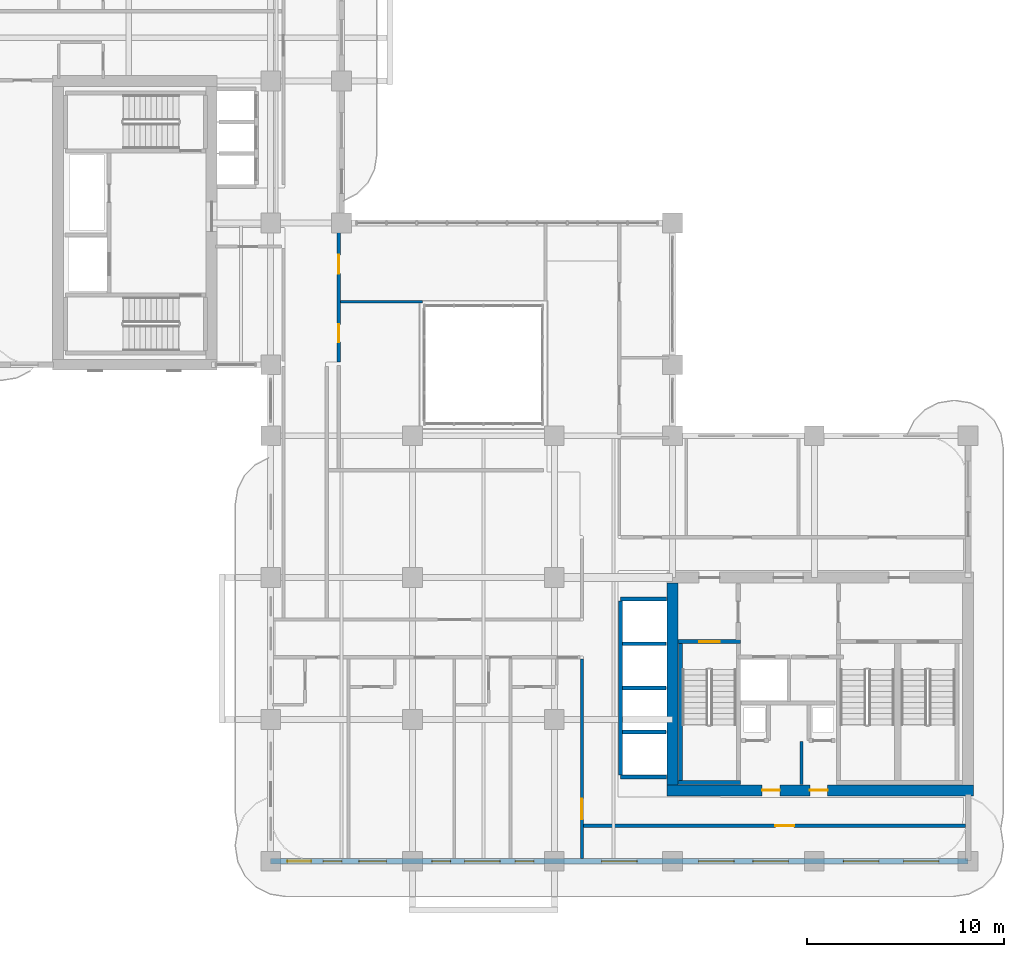
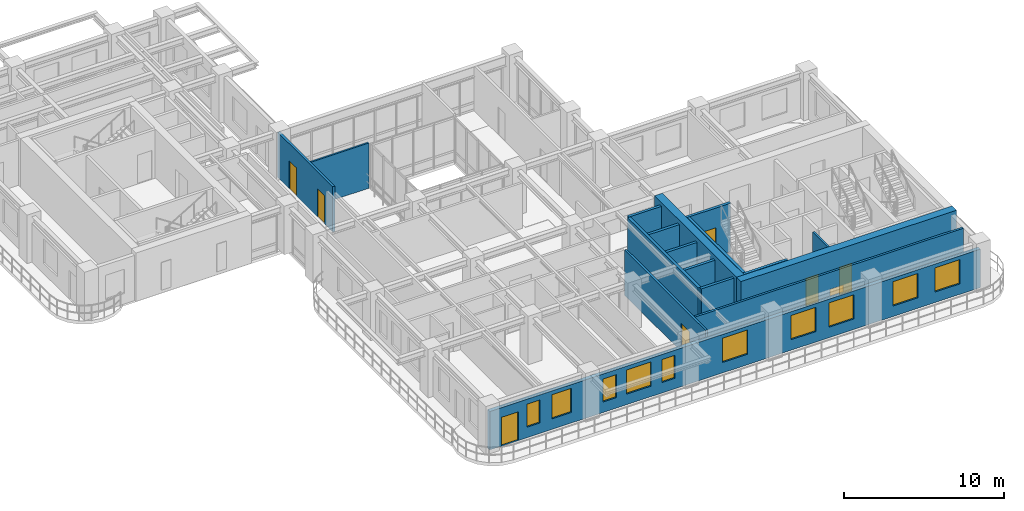
# One storey, part 12 of 20: 17 walls, 10 windows, 8 doors, 18 openings.
"""IFC4 building model written with IfcOpenShell, lengths in metres."""

from ifc_helpers import new_model, si_unit, derived_unit, direction, frame, frame_2d, origin, place, context, subcontext, project, spatial, rectangle, extrude, source, transform, mapped, material, layer, layer_set, type_object, type_shapes, element, fill, save


model = new_model("IFC4")

# Units and contexts
model_context = context("Model", 3, precision=1e-05, world=origin(), true_north=direction((0.0, 1.0)))
body_context = subcontext(model_context, "Body", "Model", "MODEL_VIEW")
ifc_project = project(units=[si_unit("LENGTHUNIT", "METRE"), si_unit("AREAUNIT", "SQUARE_METRE"), si_unit("VOLUMEUNIT", "CUBIC_METRE"), si_unit("PLANEANGLEUNIT", "RADIAN"), si_unit("MASSUNIT", "GRAM", prefix="KILO"), si_unit("THERMODYNAMICTEMPERATUREUNIT", "KELVIN"), si_unit("POWERUNIT", "WATT"), derived_unit("THERMALTRANSMITTANCEUNIT", [(si_unit("POWERUNIT", "WATT"), 1), (si_unit("AREAUNIT", "SQUARE_METRE"), -1), (si_unit("THERMODYNAMICTEMPERATUREUNIT", "KELVIN"), -1)])], contexts=[model_context])

# Site, building, storey
site_placement = place(None, origin())
site = spatial("IfcSite", under=ifc_project, at=site_placement, CompositionType="ELEMENT")
building_placement = place(site_placement, origin())
building = spatial("IfcBuilding", under=site, at=building_placement, Name="Zahravan Archway Hotel and Residences", CompositionType="ELEMENT")
storey_placement = place(building_placement, frame((0.0, 0.0, 119.199951171875)))
storey = spatial("IfcBuildingStorey", under=building, at=storey_placement, Name="L29", CompositionType="ELEMENT", Elevation=119.199951171875)

# Wall, openings, doors
ifc_material_1 = material(Name="Concrete C70/85", Category="concrete")
ifc_layer_1 = layer(ifc_material_1, 0.550048828125, Name="Concrete C70/85", Category="concrete")
ifc_layer_set_1 = layer_set([ifc_layer_1], Name="Concrete C70/85")
wall_type_1 = type_object("IfcWallType", Name="CW-CORE-550", PredefinedType="SHEAR", material=ifc_layer_set_1)
wall_1_placement = place(storey_placement, frame((34.52490234375, 3.60009765625, 0.0), z_axis=(0.0, 0.0, 1.0), x_axis=(1.0, 0.0, 0.0)))
wall_1 = element("IfcWall", 1, at=wall_1_placement, inside=storey, type_object=wall_type_1, Name="L29 Core A Shear S Wall 550 mm", PredefinedType="SHEAR", context=body_context, shape_type="SweptSolid", body=[
    extrude(rectangle(XDim=15.550048828125, YDim=0.550048828125, at=frame_2d((7.77490234375, 0.0))), origin(), (0.0, 0.0, 1.0), 3.699951171875),
])
opening_1_placement = place(wall_1_placement, frame((4.824951171875, 0.0, 0.0)))
opening_1 = element("IfcOpeningElement", 2, at=opening_1_placement, cuts=wall_1, Name="Opening FD-R1", PredefinedType="OPENING", context=body_context, shape_type="SweptSolid", body=[
    extrude(rectangle(XDim=0.89990234375, YDim=2.10009765625, at=frame_2d((0.449951171875, 1.050048828125))), frame((0.0, 0.28515625, 0.0), z_axis=(0.0, -1.0, 0.0), x_axis=(1.0, 0.0, 0.0)), (0.0, 0.0, 1.0), 0.570068359375),
])
opening_2_placement = place(wall_1_placement, frame((7.2451171875, 0.0, 0.0)))
opening_2 = element("IfcOpeningElement", 3, at=opening_2_placement, cuts=wall_1, Name="Opening FD-R1", PredefinedType="OPENING", context=body_context, shape_type="SweptSolid", body=[
    extrude(rectangle(XDim=0.89990234375, YDim=2.10009765625, at=frame_2d((0.449951171875, 1.050048828125))), frame((0.0, 0.28515625, 0.0), z_axis=(0.0, -1.0, 0.0), x_axis=(1.0, 0.0, 0.0)), (0.0, 0.0, 1.0), 0.570068359375),
])
ifc_material_2 = material(Name="Fire-Rated Painted Steel", Category="steel")
door_type_1 = type_object("IfcDoorType", Name="FD-RISER-900", OperationType="NOTDEFINED", PredefinedType="DOOR", material=ifc_material_2)
shared_shape_1 = source(origin(), body_context, "Body", "SweptSolid", [
    extrude(rectangle(XDim=0.89990234375, YDim=2.10009765625, at=frame_2d((0.449951171875, 1.050048828125))), frame((0.0, 0.02490234375, 0.0), z_axis=(0.0, -1.0, 0.0), x_axis=(1.0, 0.0, 0.0)), (0.0, 0.0, 1.0), 0.050048828125),
])
type_shapes(door_type_1, [shared_shape_1])
door_1_placement = place(opening_1_placement, origin())
door_1 = element("IfcDoor", 4, at=door_1_placement, inside=storey, type_object=door_type_1, Name="L29 Service Pantry Door", OperationType="SINGLE_SWING_RIGHT", OverallHeight=2.10009765625, OverallWidth=0.89990234375, PredefinedType="DOOR", context=body_context, shape_type="MappedRepresentation", body=[
    mapped(shared_shape_1, transform((0.0, 0.0, 0.0), scale=1.0)),
])
fill(opening_1, door_1)
door_2_placement = place(opening_2_placement, origin())
door_2 = element("IfcDoor", 5, at=door_2_placement, inside=storey, type_object=door_type_1, Name="L29 Fibre ELV Riser Door", OperationType="SINGLE_SWING_LEFT", OverallHeight=2.10009765625, OverallWidth=0.89990234375, PredefinedType="DOOR", context=body_context, shape_type="MappedRepresentation", body=[
    mapped(shared_shape_1, transform((0.0, 0.0, 0.0), scale=1.0)),
])
fill(opening_2, door_2)

# Wall
wall_2_placement = place(storey_placement, frame((34.800048828125, 3.875, 0.0), z_axis=(0.0, 0.0, 1.0), x_axis=(0.0, 1.0, 0.0)))
element("IfcWall", 6, at=wall_2_placement, inside=storey, type_object=wall_type_1, Name="L29 Core A Shear W Wall 550 mm", PredefinedType="SHEAR", context=body_context, shape_type="SweptSolid", body=[
    extrude(rectangle(XDim=10.25, YDim=0.550048828125, at=frame_2d((5.125, 0.0))), origin(), (0.0, 0.0, 1.0), 3.699951171875),
])

# Wall, openings, door, windows
ifc_material_3 = material(Name="Honed Red-Ochre Sandstone & Insulated Block", Category="masonry")
ifc_layer_2 = layer(ifc_material_3, 0.280029296875, Name="Honed Red-Ochre Sandstone & Insulated Block", Category="masonry")
ifc_layer_set_2 = layer_set([ifc_layer_2], Name="Honed Red-Ochre Sandstone & Insulated Block")
wall_type_2 = type_object("IfcWallType", Name="EW-LOG-280", PredefinedType="SOLIDWALL", material=ifc_layer_set_2)
wall_3_placement = place(storey_placement, frame((14.39990234375, 0.0, 0.0), z_axis=(0.0, 0.0, 1.0), x_axis=(1.0, 0.0, 0.0)))
wall_3 = element("IfcWall", 7, at=wall_3_placement, inside=storey, type_object=wall_type_2, Name="L29 Exterior Sandstone Wall WA-S", PredefinedType="SOLIDWALL", context=body_context, shape_type="SweptSolid", body=[
    extrude(rectangle(XDim=35.400146484375, YDim=0.280029296875, at=frame_2d((17.7001953125, 0.0))), origin(), (0.0, 0.0, 1.0), 2.93505859375),
])
opening_3_placement = place(wall_3_placement, frame((0.85009765625, 0.0, 0.0)))
opening_3 = element("IfcOpeningElement", 8, at=opening_3_placement, cuts=wall_3, Name="Opening ED-BL1", PredefinedType="OPENING", context=body_context, shape_type="SweptSolid", body=[
    extrude(rectangle(XDim=1.199951171875, YDim=2.199951171875, at=frame_2d((0.60009765625, 1.10009765625))), frame((0.0, 0.14990234375, 0.0), z_axis=(0.0, -1.0, 0.0), x_axis=(1.0, 0.0, 0.0)), (0.0, 0.0, 1.0), 0.300048828125),
])
opening_4_placement = place(wall_3_placement, frame((2.6708984375, 0.0, 0.800048828125)))
opening_4 = element("IfcOpeningElement", 9, at=opening_4_placement, cuts=wall_3, Name="Opening W-04", PredefinedType="OPENING", context=body_context, shape_type="SweptSolid", body=[
    extrude(rectangle(XDim=0.949951171875, YDim=1.75, at=frame_2d((0.47509765625, 0.875))), frame((0.0, 0.14990234375, 0.0), z_axis=(0.0, -1.0, 0.0), x_axis=(1.0, 0.0, 0.0)), (0.0, 0.0, 1.0), 0.300048828125),
])
opening_5_placement = place(wall_3_placement, frame((4.47900390625, 0.0, 0.800048828125)))
opening_5 = element("IfcOpeningElement", 10, at=opening_5_placement, cuts=wall_3, Name="Opening W-03", PredefinedType="OPENING", context=body_context, shape_type="SweptSolid", body=[
    extrude(rectangle(XDim=1.39990234375, YDim=1.85009765625, at=frame_2d((0.699951171875, 0.925048828125))), frame((0.0, 0.14990234375, 0.0), z_axis=(0.0, -1.0, 0.0), x_axis=(1.0, 0.0, 0.0)), (0.0, 0.0, 1.0), 0.300048828125),
])
opening_6_placement = place(wall_3_placement, frame((8.180908203125, 0.0, 0.800048828125)))
opening_6 = element("IfcOpeningElement", 11, at=opening_6_placement, cuts=wall_3, Name="Opening W-04", PredefinedType="OPENING", context=body_context, shape_type="SweptSolid", body=[
    extrude(rectangle(XDim=0.949951171875, YDim=1.75, at=frame_2d((0.47509765625, 0.875))), frame((0.0, 0.14990234375, 0.0), z_axis=(0.0, -1.0, 0.0), x_axis=(1.0, 0.0, 0.0)), (0.0, 0.0, 1.0), 0.300048828125),
])
opening_7_placement = place(wall_3_placement, frame((9.844970703125, 0.0, 0.800048828125)))
opening_7 = element("IfcOpeningElement", 12, at=opening_7_placement, cuts=wall_3, Name="Opening W-02", PredefinedType="OPENING", context=body_context, shape_type="SweptSolid", body=[
    extrude(rectangle(XDim=1.800048828125, YDim=1.85009765625, at=frame_2d((0.89990234375, 0.925048828125))), frame((0.0, 0.14990234375, 0.0), z_axis=(0.0, -1.0, 0.0), x_axis=(1.0, 0.0, 0.0)), (0.0, 0.0, 1.0), 0.300048828125),
])
opening_8_placement = place(wall_3_placement, frame((12.4140625, 0.0, 0.800048828125)))
opening_8 = element("IfcOpeningElement", 13, at=opening_8_placement, cuts=wall_3, Name="Opening W-04", PredefinedType="OPENING", context=body_context, shape_type="SweptSolid", body=[
    extrude(rectangle(XDim=0.949951171875, YDim=1.75, at=frame_2d((0.47509765625, 0.875))), frame((0.0, 0.14990234375, 0.0), z_axis=(0.0, -1.0, 0.0), x_axis=(1.0, 0.0, 0.0)), (0.0, 0.0, 1.0), 0.300048828125),
])
opening_9_placement = place(wall_3_placement, frame((16.803955078125, 0.0, 0.800048828125)))
opening_9 = element("IfcOpeningElement", 14, at=opening_9_placement, cuts=wall_3, Name="Opening W-02", PredefinedType="OPENING", context=body_context, shape_type="SweptSolid", body=[
    extrude(rectangle(XDim=1.800048828125, YDim=1.85009765625, at=frame_2d((0.89990234375, 0.925048828125))), frame((0.0, 0.14990234375, 0.0), z_axis=(0.0, -1.0, 0.0), x_axis=(1.0, 0.0, 0.0)), (0.0, 0.0, 1.0), 0.300048828125),
])
opening_10_placement = place(wall_3_placement, frame((21.72509765625, 0.0, 0.800048828125)))
opening_10 = element("IfcOpeningElement", 15, at=opening_10_placement, cuts=wall_3, Name="Opening W-02", PredefinedType="OPENING", context=body_context, shape_type="SweptSolid", body=[
    extrude(rectangle(XDim=1.800048828125, YDim=1.85009765625, at=frame_2d((0.89990234375, 0.925048828125))), frame((0.0, 0.14990234375, 0.0), z_axis=(0.0, -1.0, 0.0), x_axis=(1.0, 0.0, 0.0)), (0.0, 0.0, 1.0), 0.300048828125),
])
opening_11_placement = place(wall_3_placement, frame((24.47509765625, 0.0, 0.800048828125)))
opening_11 = element("IfcOpeningElement", 16, at=opening_11_placement, cuts=wall_3, Name="Opening W-02", PredefinedType="OPENING", context=body_context, shape_type="SweptSolid", body=[
    extrude(rectangle(XDim=1.800048828125, YDim=1.85009765625, at=frame_2d((0.89990234375, 0.925048828125))), frame((0.0, 0.14990234375, 0.0), z_axis=(0.0, -1.0, 0.0), x_axis=(1.0, 0.0, 0.0)), (0.0, 0.0, 1.0), 0.300048828125),
])
opening_12_placement = place(wall_3_placement, frame((29.074951171875, 0.0, 0.800048828125)))
opening_12 = element("IfcOpeningElement", 17, at=opening_12_placement, cuts=wall_3, Name="Opening W-02", PredefinedType="OPENING", context=body_context, shape_type="SweptSolid", body=[
    extrude(rectangle(XDim=1.800048828125, YDim=1.85009765625, at=frame_2d((0.89990234375, 0.925048828125))), frame((0.0, 0.14990234375, 0.0), z_axis=(0.0, -1.0, 0.0), x_axis=(1.0, 0.0, 0.0)), (0.0, 0.0, 1.0), 0.300048828125),
])
opening_13_placement = place(wall_3_placement, frame((32.125, 0.0, 0.800048828125)))
opening_13 = element("IfcOpeningElement", 18, at=opening_13_placement, cuts=wall_3, Name="Opening W-02", PredefinedType="OPENING", context=body_context, shape_type="SweptSolid", body=[
    extrude(rectangle(XDim=1.800048828125, YDim=1.85009765625, at=frame_2d((0.89990234375, 0.925048828125))), frame((0.0, 0.14990234375, 0.0), z_axis=(0.0, -1.0, 0.0), x_axis=(1.0, 0.0, 0.0)), (0.0, 0.0, 1.0), 0.300048828125),
])
ifc_material_4 = material(Name="Bronze-Anodized Glazed Aluminium", Category="aluminium")
door_type_2 = type_object("IfcDoorType", Name="ED-BALC-1200", OperationType="SLIDING_TO_LEFT", PredefinedType="DOOR", material=ifc_material_4)
shared_shape_2 = source(origin(), body_context, "Body", "SweptSolid", [
    extrude(rectangle(XDim=1.199951171875, YDim=2.199951171875, at=frame_2d((0.60009765625, 1.10009765625))), frame((0.0, 0.02490234375, 0.0), z_axis=(0.0, -1.0, 0.0), x_axis=(1.0, 0.0, 0.0)), (0.0, 0.0, 1.0), 0.050048828125),
])
type_shapes(door_type_2, [shared_shape_2])
door_3_placement = place(opening_3_placement, origin())
door_3 = element("IfcDoor", 19, at=door_3_placement, inside=storey, type_object=door_type_2, Name="L29 Outdoor Access Sliding Door (SLB-BAL-L29-SA)", OperationType="SLIDING_TO_LEFT", OverallHeight=2.199951171875, OverallWidth=1.199951171875, PredefinedType="DOOR", context=body_context, shape_type="MappedRepresentation", body=[
    mapped(shared_shape_2, transform((0.0, 0.0, 0.0), scale=1.0)),
])
fill(opening_3, door_3)
ifc_material_5 = material(Name="Bronze-Anodized Thermal-Break Aluminium & Low-E Glass", Category="aluminium")
window_type_1 = type_object("IfcWindowType", Name="WIN-TWR-1400", PartitioningType="SINGLE_PANEL", PredefinedType="WINDOW", material=ifc_material_5)
shared_shape_3 = source(origin(), body_context, "Body", "SweptSolid", [
    extrude(rectangle(XDim=1.39990234375, YDim=1.85009765625, at=frame_2d((0.699951171875, 0.925048828125))), frame((0.0, 0.030029296875, 0.0), z_axis=(0.0, -1.0, 0.0), x_axis=(1.0, 0.0, 0.0)), (0.0, 0.0, 1.0), 0.06005859375),
])
type_shapes(window_type_1, [shared_shape_3])
window_1_placement = place(opening_5_placement, origin())
window_1 = element("IfcWindow", 20, at=window_1_placement, inside=storey, type_object=window_type_1, Name="L29 Loggia Window 02", OverallHeight=1.85009765625, OverallWidth=1.39990234375, PartitioningType="SINGLE_PANEL", PredefinedType="WINDOW", context=body_context, shape_type="MappedRepresentation", body=[
    mapped(shared_shape_3, transform((0.0, 0.0, 0.0), scale=1.0)),
])
fill(opening_5, window_1)
window_type_2 = type_object("IfcWindowType", Name="WIN-NAR-950", PartitioningType="SINGLE_PANEL", PredefinedType="WINDOW", material=ifc_material_5)
shared_shape_4 = source(origin(), body_context, "Body", "SweptSolid", [
    extrude(rectangle(XDim=0.949951171875, YDim=1.75, at=frame_2d((0.47509765625, 0.875))), frame((0.0, 0.030029296875, 0.0), z_axis=(0.0, -1.0, 0.0), x_axis=(1.0, 0.0, 0.0)), (0.0, 0.0, 1.0), 0.06005859375),
])
type_shapes(window_type_2, [shared_shape_4])
window_2_placement = place(opening_4_placement, origin())
window_2 = element("IfcWindow", 21, at=window_2_placement, inside=storey, type_object=window_type_2, Name="L29 Loggia Window 01", OverallHeight=1.75, OverallWidth=0.949951171875, PartitioningType="SINGLE_PANEL", PredefinedType="WINDOW", context=body_context, shape_type="MappedRepresentation", body=[
    mapped(shared_shape_4, transform((0.0, 0.0, 0.0), scale=1.0)),
])
fill(opening_4, window_2)
window_3_placement = place(opening_6_placement, origin())
window_3 = element("IfcWindow", 22, at=window_3_placement, inside=storey, type_object=window_type_2, Name="L29 Loggia Window 03", OverallHeight=1.75, OverallWidth=0.949951171875, PartitioningType="SINGLE_PANEL", PredefinedType="WINDOW", context=body_context, shape_type="MappedRepresentation", body=[
    mapped(shared_shape_4, transform((0.0, 0.0, 0.0), scale=1.0)),
])
fill(opening_6, window_3)
window_4_placement = place(opening_8_placement, origin())
window_4 = element("IfcWindow", 23, at=window_4_placement, inside=storey, type_object=window_type_2, Name="L29 Loggia Window 05", OverallHeight=1.75, OverallWidth=0.949951171875, PartitioningType="SINGLE_PANEL", PredefinedType="WINDOW", context=body_context, shape_type="MappedRepresentation", body=[
    mapped(shared_shape_4, transform((0.0, 0.0, 0.0), scale=1.0)),
])
fill(opening_8, window_4)
window_type_3 = type_object("IfcWindowType", Name="WIN-TWR-1800", PartitioningType="DOUBLE_PANEL_VERTICAL", PredefinedType="WINDOW", material=ifc_material_5)
shared_shape_5 = source(origin(), body_context, "Body", "SweptSolid", [
    extrude(rectangle(XDim=1.800048828125, YDim=1.85009765625, at=frame_2d((0.89990234375, 0.925048828125))), frame((0.0, 0.030029296875, 0.0), z_axis=(0.0, -1.0, 0.0), x_axis=(1.0, 0.0, 0.0)), (0.0, 0.0, 1.0), 0.06005859375),
])
type_shapes(window_type_3, [shared_shape_5])
window_5_placement = place(opening_7_placement, origin())
window_5 = element("IfcWindow", 24, at=window_5_placement, inside=storey, type_object=window_type_3, Name="L29 Loggia Window 04", OverallHeight=1.85009765625, OverallWidth=1.800048828125, PartitioningType="DOUBLE_PANEL_VERTICAL", PredefinedType="WINDOW", context=body_context, shape_type="MappedRepresentation", body=[
    mapped(shared_shape_5, transform((0.0, 0.0, 0.0), scale=1.0)),
])
fill(opening_7, window_5)
window_6_placement = place(opening_9_placement, origin())
window_6 = element("IfcWindow", 25, at=window_6_placement, inside=storey, type_object=window_type_3, Name="L29 Loggia Window 06", OverallHeight=1.85009765625, OverallWidth=1.800048828125, PartitioningType="DOUBLE_PANEL_VERTICAL", PredefinedType="WINDOW", context=body_context, shape_type="MappedRepresentation", body=[
    mapped(shared_shape_5, transform((0.0, 0.0, 0.0), scale=1.0)),
])
fill(opening_9, window_6)
window_7_placement = place(opening_10_placement, origin())
window_7 = element("IfcWindow", 26, at=window_7_placement, inside=storey, type_object=window_type_3, Name="L29 Loggia Window 07", OverallHeight=1.85009765625, OverallWidth=1.800048828125, PartitioningType="DOUBLE_PANEL_VERTICAL", PredefinedType="WINDOW", context=body_context, shape_type="MappedRepresentation", body=[
    mapped(shared_shape_5, transform((0.0, 0.0, 0.0), scale=1.0)),
])
fill(opening_10, window_7)
window_8_placement = place(opening_11_placement, origin())
window_8 = element("IfcWindow", 27, at=window_8_placement, inside=storey, type_object=window_type_3, Name="L29 Loggia Window 08", OverallHeight=1.85009765625, OverallWidth=1.800048828125, PartitioningType="DOUBLE_PANEL_VERTICAL", PredefinedType="WINDOW", context=body_context, shape_type="MappedRepresentation", body=[
    mapped(shared_shape_5, transform((0.0, 0.0, 0.0), scale=1.0)),
])
fill(opening_11, window_8)
window_9_placement = place(opening_12_placement, origin())
window_9 = element("IfcWindow", 28, at=window_9_placement, inside=storey, type_object=window_type_3, Name="L29 Loggia Window 09", OverallHeight=1.85009765625, OverallWidth=1.800048828125, PartitioningType="DOUBLE_PANEL_VERTICAL", PredefinedType="WINDOW", context=body_context, shape_type="MappedRepresentation", body=[
    mapped(shared_shape_5, transform((0.0, 0.0, 0.0), scale=1.0)),
])
fill(opening_12, window_9)
window_10_placement = place(opening_13_placement, origin())
window_10 = element("IfcWindow", 29, at=window_10_placement, inside=storey, type_object=window_type_3, Name="L29 Loggia Window 10", OverallHeight=1.85009765625, OverallWidth=1.800048828125, PartitioningType="DOUBLE_PANEL_VERTICAL", PredefinedType="WINDOW", context=body_context, shape_type="MappedRepresentation", body=[
    mapped(shared_shape_5, transform((0.0, 0.0, 0.0), scale=1.0)),
])
fill(opening_13, window_10)

# Wall, opening, door
ifc_material_6 = material(Name="Fire-Rated Gypsum & Concrete Block", Category="concrete")
ifc_layer_3 = layer(ifc_material_6, 0.159912109375, Name="Fire-Rated Gypsum & Concrete Block", Category="concrete")
ifc_layer_set_3 = layer_set([ifc_layer_3], Name="Fire-Rated Gypsum & Concrete Block")
wall_type_3 = type_object("IfcWallType", Name="PW-CORR-160", PredefinedType="PARTITIONING", material=ifc_layer_set_3)
wall_4_placement = place(storey_placement, frame((30.199951171875, 0.14794921875, 0.0), z_axis=(0.0, 0.0, 1.0), x_axis=(0.0, 1.0, 0.0)))
wall_4 = element("IfcWall", 30, at=wall_4_placement, inside=storey, type_object=wall_type_3, Name="L29 Partition WA-SRW", PredefinedType="PARTITIONING", context=body_context, shape_type="SweptSolid", body=[
    extrude(rectangle(XDim=10.112060546875, YDim=0.159912109375, at=frame_2d((5.05615234375, 0.0))), origin(), (0.0, 0.0, 1.0), 3.449951171875),
])
opening_14_placement = place(wall_4_placement, frame((1.97705078125, 0.0, 0.0)))
opening_14 = element("IfcOpeningElement", 31, at=opening_14_placement, cuts=wall_4, Name="Opening FD-L2", PredefinedType="OPENING", context=body_context, shape_type="SweptSolid", body=[
    extrude(rectangle(XDim=1.050048828125, YDim=2.14990234375, at=frame_2d((0.52490234375, 1.074951171875))), frame((0.0, 0.08984375, 0.0), z_axis=(0.0, -1.0, 0.0), x_axis=(1.0, 0.0, 0.0)), (0.0, 0.0, 1.0), 0.179931640625),
])
door_type_3 = type_object("IfcDoorType", Name="FD-LOBBY-1100", OperationType="NOTDEFINED", PredefinedType="DOOR", material=ifc_material_2)
shared_shape_6 = source(origin(), body_context, "Body", "SweptSolid", [
    extrude(rectangle(XDim=1.050048828125, YDim=2.14990234375, at=frame_2d((0.52490234375, 1.074951171875))), frame((0.0, 0.02490234375, 0.0), z_axis=(0.0, -1.0, 0.0), x_axis=(1.0, 0.0, 0.0)), (0.0, 0.0, 1.0), 0.050048828125),
])
type_shapes(door_type_3, [shared_shape_6])
door_4_placement = place(opening_14_placement, origin())
door_4 = element("IfcDoor", 32, at=door_4_placement, inside=storey, type_object=door_type_3, Name="L29 South Riser Corridor Door", OperationType="SINGLE_SWING_LEFT", OverallHeight=2.14990234375, OverallWidth=1.050048828125, PredefinedType="DOOR", context=body_context, shape_type="MappedRepresentation", body=[
    mapped(shared_shape_6, transform((0.0, 0.0, 0.0), scale=1.0)),
])
fill(opening_14, door_4)

wall_5_placement = place(storey_placement, frame((30.2900390625, 1.800048828125, 0.0), z_axis=(0.0, 0.0, 1.0), x_axis=(1.0, 0.0, 0.0)))
wall_5 = element("IfcWall", 33, at=wall_5_placement, inside=storey, type_object=wall_type_3, Name="L29 Partition WA-SRS", PredefinedType="PARTITIONING", context=body_context, shape_type="SweptSolid", body=[
    extrude(rectangle(XDim=19.369873046875, YDim=0.159912109375, at=frame_2d((9.68505859375, 0.0))), origin(), (0.0, 0.0, 1.0), 3.449951171875),
])
opening_15_placement = place(wall_5_placement, frame((9.735107421875, 0.0, 0.0)))
opening_15 = element("IfcOpeningElement", 34, at=opening_15_placement, cuts=wall_5, Name="Opening D-I1", PredefinedType="OPENING", context=body_context, shape_type="SweptSolid", body=[
    extrude(rectangle(XDim=0.949951171875, YDim=2.14990234375, at=frame_2d((0.47509765625, 1.074951171875))), frame((0.0, 0.08984375, 0.0), z_axis=(0.0, -1.0, 0.0), x_axis=(1.0, 0.0, 0.0)), (0.0, 0.0, 1.0), 0.179931640625),
])
ifc_material_7 = material(Name="Hardwood Veneer Timber", Category="wood")
door_type_4 = type_object("IfcDoorType", Name="ID-INT-950", OperationType="NOTDEFINED", PredefinedType="DOOR", material=ifc_material_7)
shared_shape_7 = source(origin(), body_context, "Body", "SweptSolid", [
    extrude(rectangle(XDim=0.949951171875, YDim=2.14990234375, at=frame_2d((0.47509765625, 1.074951171875))), frame((0.0, 0.02490234375, 0.0), z_axis=(0.0, -1.0, 0.0), x_axis=(1.0, 0.0, 0.0)), (0.0, 0.0, 1.0), 0.050048828125),
])
type_shapes(door_type_4, [shared_shape_7])
door_5_placement = place(opening_15_placement, origin())
door_5 = element("IfcDoor", 35, at=door_5_placement, inside=storey, type_object=door_type_4, Name="L29 South Viewing Lounge Door", OperationType="SINGLE_SWING_RIGHT", OverallHeight=2.14990234375, OverallWidth=0.949951171875, PredefinedType="DOOR", context=body_context, shape_type="MappedRepresentation", body=[
    mapped(shared_shape_7, transform((0.0, 0.0, 0.0), scale=1.0)),
])
fill(opening_15, door_5)

# Walls
ifc_material_8 = material(Name="Acoustic Stud Partition")
ifc_layer_4 = layer(ifc_material_8, 0.125, Name="Acoustic Stud Partition")
ifc_layer_set_4 = layer_set([ifc_layer_4], Name="Acoustic Stud Partition")
wall_type_4 = type_object("IfcWallType", Name="PW-INT-125", PredefinedType="PARTITIONING", material=ifc_layer_set_4)
wall_6_placement = place(storey_placement, frame((17.93994140625, 28.39990234375, 0.0), z_axis=(0.0, 0.0, 1.0), x_axis=(1.0, 0.0, 0.0)))
element("IfcWall", 36, at=wall_6_placement, inside=storey, type_object=wall_type_4, Name="L29 Partition ATR-NW1", PredefinedType="PARTITIONING", context=body_context, shape_type="SweptSolid", body=[
    extrude(rectangle(XDim=4.170166015625, YDim=0.125, at=frame_2d((2.0849609375, 0.0))), origin(), (0.0, 0.0, 1.0), 3.449951171875),
])
ifc_layer_5 = layer(ifc_material_6, 0.199951171875, Name="Fire-Rated Gypsum & Concrete Block", Category="concrete")
ifc_layer_set_5 = layer_set([ifc_layer_5], Name="Fire-Rated Gypsum & Concrete Block")
wall_type_5 = type_object("IfcWallType", Name="PW-SHAFT-200", PredefinedType="PARTITIONING", material=ifc_layer_set_5)
for number, where, z_axis, x_axis, name in (
    (37, (32.159912109375, 4.280029296875, 0.0), (0.0, 0.0, 1.0), (1.0, 0.0, 0.0), "L29 Partition B3-S"),
    (38, (32.159912109375, 13.320068359375, 0.0), (0.0, 0.0, 1.0), (1.0, 0.0, 0.0), "L29 Partition B3-N"),
):
    element("IfcWall", number, at=place(storey_placement, frame(where, z_axis=z_axis, x_axis=x_axis)), inside=storey, type_object=wall_type_5, Name=name, PredefinedType="PARTITIONING", context=body_context, shape_type="SweptSolid", body=[
        extrude(rectangle(XDim=2.335205078125, YDim=0.199951171875, at=frame_2d((1.16748046875, 0.0))), origin(), (0.0, 0.0, 1.0), 3.449951171875),
    ])
wall_7_placement = place(storey_placement, frame((32.14990234375, 4.389892578125, 0.0), z_axis=(0.0, 0.0, 1.0), x_axis=(0.0, 1.0, 0.0)))
element("IfcWall", 39, at=wall_7_placement, inside=storey, type_object=wall_type_5, Name="L29 Partition B3-W", PredefinedType="PARTITIONING", context=body_context, shape_type="SweptSolid", body=[
    extrude(rectangle(XDim=8.820068359375, YDim=0.199951171875, at=frame_2d((4.41015625, 0.0))), origin(), (0.0, 0.0, 1.0), 3.449951171875),
])
for number, where, z_axis, x_axis, name in (
    (40, (32.260009765625, 6.56005859375, 0.0), (0.0, 0.0, 1.0), (1.0, 0.0, 0.0), "L29 Partition B3-D"),
    (41, (32.260009765625, 8.800048828125, 0.0), (0.0, 0.0, 1.0), (1.0, 0.0, 0.0), "L29 Partition B3-D"),
    (42, (32.260009765625, 11.0400390625, 0.0), (0.0, 0.0, 1.0), (1.0, 0.0, 0.0), "L29 Partition B3-D"),
):
    element("IfcWall", number, at=place(storey_placement, frame(where, z_axis=z_axis, x_axis=x_axis)), inside=storey, type_object=wall_type_5, Name=name, PredefinedType="PARTITIONING", context=body_context, shape_type="SweptSolid", body=[
        extrude(rectangle(XDim=2.205078125, YDim=0.199951171875, at=frame_2d((1.1025390625, 0.0))), origin(), (0.0, 0.0, 1.0), 3.449951171875),
    ])

# Wall, openings, doors
ifc_layer_6 = layer(ifc_material_8, 0.169921875, Name="Acoustic Stud Partition")
ifc_layer_set_6 = layer_set([ifc_layer_6], Name="Acoustic Stud Partition")
wall_type_6 = type_object("IfcWallType", Name="PW-UNIT-170", PredefinedType="PARTITIONING", material=ifc_layer_set_6)
wall_8_placement = place(storey_placement, frame((17.85009765625, 25.340087890625, 0.0), z_axis=(0.0, 0.0, 1.0), x_axis=(0.0, 1.0, 0.0)))
wall_8 = element("IfcWall", 43, at=wall_8_placement, inside=storey, type_object=wall_type_6, Name="L29 Partition ATR-W2", PredefinedType="PARTITIONING", context=body_context, shape_type="SweptSolid", body=[
    extrude(rectangle(XDim=6.869873046875, YDim=0.169921875, at=frame_2d((3.43505859375, 0.0))), origin(), (0.0, 0.0, 1.0), 3.449951171875),
])
opening_16_placement = place(wall_8_placement, frame((1.010009765625, 0.0, 0.0)))
opening_16 = element("IfcOpeningElement", 44, at=opening_16_placement, cuts=wall_8, Name="Opening D-I2", PredefinedType="OPENING", context=body_context, shape_type="SweptSolid", body=[
    extrude(rectangle(XDim=0.89990234375, YDim=2.14990234375, at=frame_2d((0.449951171875, 1.074951171875))), frame((0.0, 0.094970703125, 0.0), z_axis=(0.0, -1.0, 0.0), x_axis=(1.0, 0.0, 0.0)), (0.0, 0.0, 1.0), 0.18994140625),
])
opening_17_placement = place(wall_8_placement, frame((4.485107421875, 0.0, 0.0)))
opening_17 = element("IfcOpeningElement", 45, at=opening_17_placement, cuts=wall_8, Name="Opening D-I1", PredefinedType="OPENING", context=body_context, shape_type="SweptSolid", body=[
    extrude(rectangle(XDim=0.949951171875, YDim=2.14990234375, at=frame_2d((0.47509765625, 1.074951171875))), frame((0.0, 0.094970703125, 0.0), z_axis=(0.0, -1.0, 0.0), x_axis=(1.0, 0.0, 0.0)), (0.0, 0.0, 1.0), 0.18994140625),
])
door_6_placement = place(opening_17_placement, origin())
door_6 = element("IfcDoor", 46, at=door_6_placement, inside=storey, type_object=door_type_4, Name="L29 Atrium North Lounge Door", OperationType="SINGLE_SWING_LEFT", OverallHeight=2.14990234375, OverallWidth=0.949951171875, PredefinedType="DOOR", context=body_context, shape_type="MappedRepresentation", body=[
    mapped(shared_shape_7, transform((0.0, 0.0, 0.0), scale=1.0)),
])
fill(opening_17, door_6)
door_type_5 = type_object("IfcDoorType", Name="ID-INT-900", OperationType="NOTDEFINED", PredefinedType="DOOR", material=ifc_material_7)
shared_shape_8 = source(origin(), body_context, "Body", "SweptSolid", [
    extrude(rectangle(XDim=0.89990234375, YDim=2.14990234375, at=frame_2d((0.449951171875, 1.074951171875))), frame((0.0, 0.02490234375, 0.0), z_axis=(0.0, -1.0, 0.0), x_axis=(1.0, 0.0, 0.0)), (0.0, 0.0, 1.0), 0.050048828125),
])
type_shapes(door_type_5, [shared_shape_8])
door_7_placement = place(opening_16_placement, origin())
door_7 = element("IfcDoor", 47, at=door_7_placement, inside=storey, type_object=door_type_5, Name="L29 Atrium West Study Door", OperationType="SINGLE_SWING_LEFT", OverallHeight=2.14990234375, OverallWidth=0.89990234375, PredefinedType="DOOR", context=body_context, shape_type="MappedRepresentation", body=[
    mapped(shared_shape_8, transform((0.0, 0.0, 0.0), scale=1.0)),
])
fill(opening_16, door_7)

# Walls
ifc_material_9 = material(Name="Moisture-Resistant Blockwork", Category="masonry")
ifc_layer_7 = layer(ifc_material_9, 0.139892578125, Name="Moisture-Resistant Blockwork", Category="masonry")
ifc_layer_set_7 = layer_set([ifc_layer_7], Name="Moisture-Resistant Blockwork")
wall_type_7 = type_object("IfcWallType", Name="PW-WET-140", PredefinedType="PARTITIONING", material=ifc_layer_set_7)
wall_9_placement = place(storey_placement, frame((41.35009765625, 3.89501953125, 0.0), z_axis=(0.0, 0.0, 1.0), x_axis=(0.0, 1.0, 0.0)))
element("IfcWall", 48, at=wall_9_placement, inside=storey, type_object=wall_type_7, Name="L29 Partition CA-CV3", PredefinedType="PARTITIONING", context=body_context, shape_type="SweptSolid", body=[
    extrude(rectangle(XDim=2.18505859375, YDim=0.139892578125, at=frame_2d((1.092529296875, 0.0))), origin(), (0.0, 0.0, 1.0), 3.449951171875),
])
ifc_material_10 = material(Name="Concrete C50/60", Category="concrete")
ifc_layer_8 = layer(ifc_material_10, 0.199951171875, Name="Concrete C50/60", Category="concrete")
ifc_layer_set_8 = layer_set([ifc_layer_8], Name="Concrete C50/60")
wall_type_8 = type_object("IfcWallType", Name="SW-STAIR-200", PredefinedType="SHEAR", material=ifc_layer_set_8)
wall_10_placement = place(storey_placement, frame((35.074951171875, 4.0, 0.0), z_axis=(0.0, 0.0, 1.0), x_axis=(1.0, 0.0, 0.0)))
element("IfcWall", 49, at=wall_10_placement, inside=storey, type_object=wall_type_8, Name="L29 Stairwell RC Wall CA-SA1S", PredefinedType="SHEAR", context=body_context, shape_type="SweptSolid", body=[
    extrude(rectangle(XDim=3.1650390625, YDim=0.199951171875, at=frame_2d((1.58251953125, 0.0))), origin(), (0.0, 0.0, 1.0), 3.699951171875),
])
wall_11_placement = place(storey_placement, frame((35.199951171875, 4.10009765625, 0.0), z_axis=(0.0, 0.0, 1.0), x_axis=(0.0, 1.0, 0.0)))
element("IfcWall", 50, at=wall_11_placement, inside=storey, type_object=wall_type_8, Name="L29 Stairwell RC Wall CA-SA1W", PredefinedType="SHEAR", context=body_context, shape_type="SweptSolid", body=[
    extrude(rectangle(XDim=6.949951171875, YDim=0.199951171875, at=frame_2d((3.47509765625, 0.0))), origin(), (0.0, 0.0, 1.0), 3.699951171875),
])

# Wall, opening, door
wall_12_placement = place(storey_placement, frame((35.074951171875, 11.14990234375, 0.0), z_axis=(0.0, 0.0, 1.0), x_axis=(1.0, 0.0, 0.0)))
wall_12 = element("IfcWall", 51, at=wall_12_placement, inside=storey, type_object=wall_type_8, Name="L29 Stairwell RC Wall CA-SA1N", PredefinedType="SHEAR", context=body_context, shape_type="SweptSolid", body=[
    extrude(rectangle(XDim=3.1650390625, YDim=0.199951171875, at=frame_2d((1.58251953125, 0.0))), origin(), (0.0, 0.0, 1.0), 3.699951171875),
])
opening_18_placement = place(wall_12_placement, frame((1.070068359375, 0.0, 0.0)))
opening_18 = element("IfcOpeningElement", 52, at=opening_18_placement, cuts=wall_12, Name="Opening FD-S1", PredefinedType="OPENING", context=body_context, shape_type="SweptSolid", body=[
    extrude(rectangle(XDim=1.050048828125, YDim=2.199951171875, at=frame_2d((0.52490234375, 1.10009765625))), frame((0.0, 0.10986328125, 0.0), z_axis=(0.0, -1.0, 0.0), x_axis=(1.0, 0.0, 0.0)), (0.0, 0.0, 1.0), 0.219970703125),
])
door_type_6 = type_object("IfcDoorType", Name="FD-STAIR-1100", OperationType="NOTDEFINED", PredefinedType="DOOR", material=ifc_material_2)
shared_shape_9 = source(origin(), body_context, "Body", "SweptSolid", [
    extrude(rectangle(XDim=1.050048828125, YDim=2.199951171875, at=frame_2d((0.52490234375, 1.10009765625))), frame((0.0, 0.02490234375, 0.0), z_axis=(0.0, -1.0, 0.0), x_axis=(1.0, 0.0, 0.0)), (0.0, 0.0, 1.0), 0.050048828125),
])
type_shapes(door_type_6, [shared_shape_9])
door_8_placement = place(opening_18_placement, origin())
door_8 = element("IfcDoor", 53, at=door_8_placement, inside=storey, type_object=door_type_6, Name="L29 Stair ST-A1 Door", OperationType="SINGLE_SWING_LEFT", OverallHeight=2.199951171875, OverallWidth=1.050048828125, PredefinedType="DOOR", context=body_context, shape_type="MappedRepresentation", body=[
    mapped(shared_shape_9, transform((0.0, 0.0, 0.0), scale=1.0)),
])
fill(opening_18, door_8)

save(model, "model.ifc")
